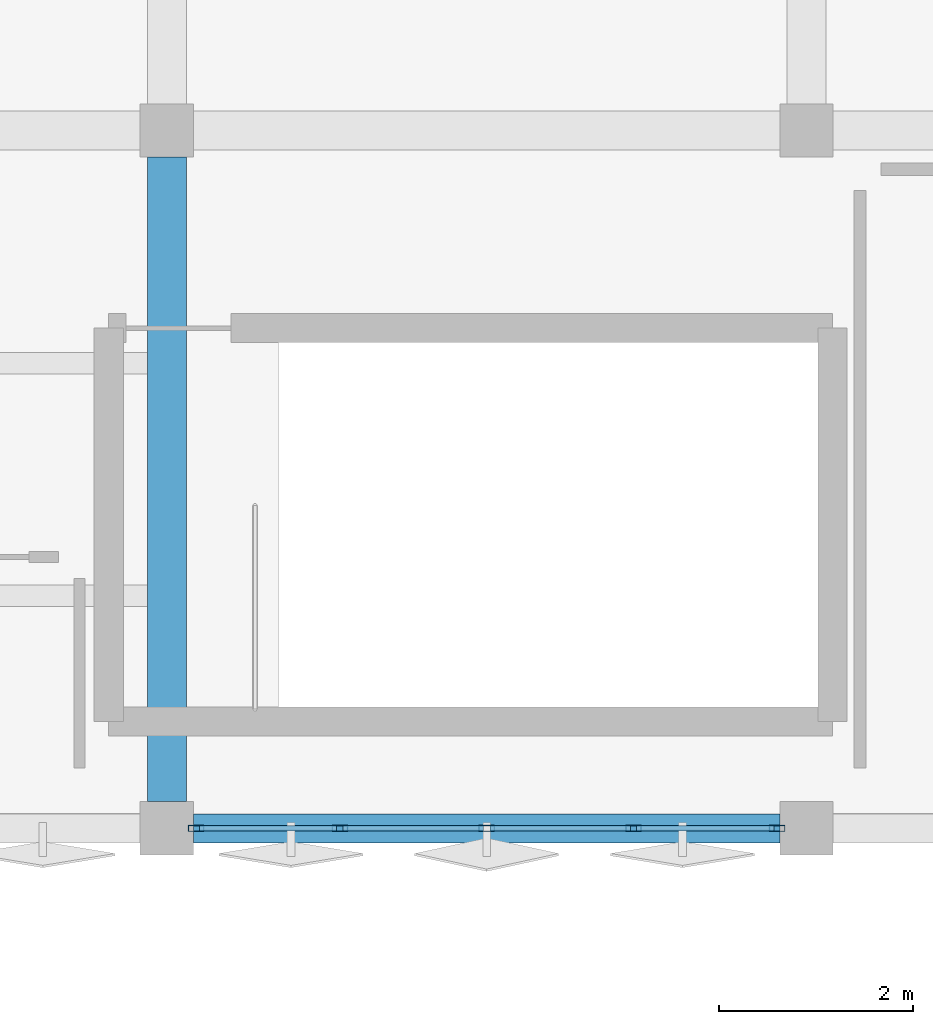
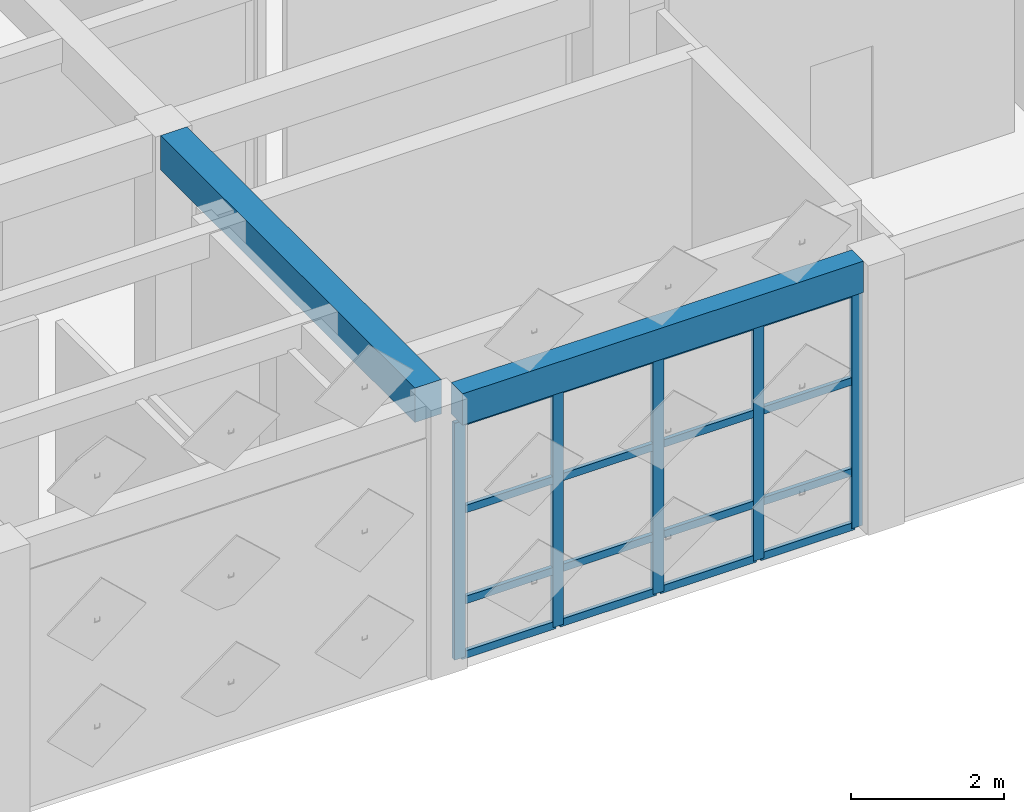
# One storey, part 10 of 29: 21 members, 2 beams, 1 element without a shape of its own.
"""IFC4 building model written with IfcOpenShell, lengths in metres."""

from ifc_helpers import new_model, si_unit, direction, frame, origin, origin_2d, place, context, subcontext, project, spatial, rectangle, hollow_rectangle, extrude, material, layer, layer_set, material_profile, profile_set, type_object, element, aggregate, save


model = new_model("IFC4")

# Units and contexts
model_context = context("Model", 3, precision=1e-05, world=origin(), true_north=direction((0.0, 1.0)))
body_context = subcontext(model_context, "Body", "Model", "MODEL_VIEW")
ifc_project = project(units=[si_unit("LENGTHUNIT", "METRE"), si_unit("AREAUNIT", "SQUARE_METRE"), si_unit("VOLUMEUNIT", "CUBIC_METRE"), si_unit("PLANEANGLEUNIT", "RADIAN"), si_unit("MASSUNIT", "GRAM", prefix="KILO")], contexts=[model_context])

# Site, building, storey
site_placement = place(None, origin())
site = spatial("IfcSite", under=ifc_project, at=site_placement, CompositionType="ELEMENT")
building_placement = place(site_placement, origin())
building = spatial("IfcBuilding", under=site, at=building_placement, Name="Kharisveld Research Institute", CompositionType="ELEMENT")
storey_placement = place(building_placement, frame((0.0, 0.0, 32.10009765625)))
storey = spatial("IfcBuildingStorey", under=building, at=storey_placement, Name="L07", CompositionType="ELEMENT", Elevation=32.10009765625)

# Beam
ifc_material_1 = material(Name="Concrete C40/50", Category="concrete")
ifc_material_profile_1 = material_profile(ifc_material_1, rectangle(XDim=0.39990234375, YDim=0.550048828125, at=origin_2d()))
ifc_profile_set_1 = profile_set([ifc_material_profile_1], Name="Concrete C40/50")
beam_type_1 = type_object("IfcBeamType", Name="BM_RC_400x550", PredefinedType="BEAM", material=ifc_profile_set_1)
beam_1_placement = place(storey_placement, frame((147.60009765625, 39.47509765625, 4.02978515625), z_axis=(0.0, 1.0, 0.0), x_axis=(-1.0, 0.0, 0.0)))
element("IfcBeam", 1, at=beam_1_placement, inside=storey, type_object=beam_type_1, Name="BM:V2:L07:V5_0", PredefinedType="BEAM", context=body_context, shape_type="SweptSolid", body=[
    extrude(rectangle(XDim=0.39990234375, YDim=0.550048828125, at=origin_2d()), origin(), (0.0, 0.0, 1.0), 6.64990234375),
])

# Curtain wall, members
ifc_material_2 = material(Name="Thermally Broken Aluminium Curtain Wall", Category="aluminium")
ifc_layer = layer(ifc_material_2, 0.159912109375)
ifc_layer_set = layer_set([ifc_layer], Name="CW_SYS_04")
curtain_wall_type = type_object("IfcCurtainWallType", Name="CW_SYS_04", PredefinedType="NOTDEFINED", material=ifc_layer_set)
curtain_wall_placement = place(storey_placement, origin())
curtain_wall = element("IfcCurtainWall", 2, at=curtain_wall_placement, inside=storey, type_object=curtain_wall_type, Name="CW:V2:L07:S6", PredefinedType="NOTDEFINED")
ifc_material_3 = material(Name="Anodised Aluminium AW-6063-T6", Category="aluminium")
ifc_material_profile_2 = material_profile(ifc_material_3, hollow_rectangle(XDim=0.06494140625, YDim=0.159912109375, WallThickness=0.00390625, at=origin_2d()))
ifc_profile_set_2 = profile_set([ifc_material_profile_2], Name="Anodised Aluminium AW-6063-T6")
member_type_1 = type_object("IfcMemberType", Name="CW_MUL_160", PredefinedType="MULLION", material=ifc_profile_set_2)
member_1_placement = place(storey_placement, frame((153.8974609375, 39.199951171875, 0.0), z_axis=(0.0, 0.0, 1.0), x_axis=(0.0, -1.0, 0.0)))
member_1 = element("IfcMember", 3, at=member_1_placement, type_object=member_type_1, Name="CW-04 mullion 1", PredefinedType="MULLION", context=body_context, shape_type="SweptSolid", body=[
    extrude(hollow_rectangle(XDim=0.06494140625, YDim=0.159912109375, WallThickness=0.00390625, at=origin_2d()), origin(), (0.0, 0.0, 1.0), 3.77978515625),
])
member_2_placement = place(storey_placement, frame((152.4150390625, 39.199951171875, 0.0), z_axis=(0.0, 0.0, 1.0), x_axis=(0.0, -1.0, 0.0)))
member_2 = element("IfcMember", 4, at=member_2_placement, type_object=member_type_1, Name="CW-04 mullion 2", PredefinedType="MULLION", context=body_context, shape_type="SweptSolid", body=[
    extrude(hollow_rectangle(XDim=0.06494140625, YDim=0.159912109375, WallThickness=0.00390625, at=origin_2d()), origin(), (0.0, 0.0, 1.0), 3.77978515625),
])
member_3_placement = place(storey_placement, frame((150.89990234375, 39.199951171875, 0.0), z_axis=(0.0, 0.0, 1.0), x_axis=(0.0, -1.0, 0.0)))
member_3 = element("IfcMember", 5, at=member_3_placement, type_object=member_type_1, Name="CW-04 mullion 3", PredefinedType="MULLION", context=body_context, shape_type="SweptSolid", body=[
    extrude(hollow_rectangle(XDim=0.06494140625, YDim=0.159912109375, WallThickness=0.00390625, at=origin_2d()), origin(), (0.0, 0.0, 1.0), 3.77978515625),
])
member_4_placement = place(storey_placement, frame((149.385009765625, 39.199951171875, 0.0), z_axis=(0.0, 0.0, 1.0), x_axis=(0.0, -1.0, 0.0)))
member_4 = element("IfcMember", 6, at=member_4_placement, type_object=member_type_1, Name="CW-04 mullion 4", PredefinedType="MULLION", context=body_context, shape_type="SweptSolid", body=[
    extrude(hollow_rectangle(XDim=0.06494140625, YDim=0.159912109375, WallThickness=0.00390625, at=origin_2d()), origin(), (0.0, 0.0, 1.0), 3.77978515625),
])
member_5_placement = place(storey_placement, frame((147.902587890625, 39.199951171875, 0.0), z_axis=(0.0, 0.0, 1.0), x_axis=(0.0, -1.0, 0.0)))
member_5 = element("IfcMember", 7, at=member_5_placement, type_object=member_type_1, Name="CW-04 mullion 5", PredefinedType="MULLION", context=body_context, shape_type="SweptSolid", body=[
    extrude(hollow_rectangle(XDim=0.06494140625, YDim=0.159912109375, WallThickness=0.00390625, at=origin_2d()), origin(), (0.0, 0.0, 1.0), 3.77978515625),
])
ifc_material_4 = material(Name="Anodised Aluminium AW-6063-T6", Category="aluminium")
ifc_material_profile_3 = material_profile(ifc_material_4, hollow_rectangle(XDim=0.06005859375, YDim=0.1201171875, WallThickness=0.00390625, at=origin_2d()))
ifc_profile_set_3 = profile_set([ifc_material_profile_3], Name="Anodised Aluminium AW-6063-T6")
member_type_2 = type_object("IfcMemberType", Name="CW_TRN_120", PredefinedType="USERDEFINED", material=ifc_profile_set_3)
member_6_placement = place(storey_placement, frame((153.864990234375, 39.199951171875, 0.02978515625), z_axis=(-1.0, 0.0, 0.0), x_axis=(0.0, -1.0, 0.0)))
member_6 = element("IfcMember", 8, at=member_6_placement, type_object=member_type_2, Name="CW-04 transom 1.1", ObjectType="TRANSOM", PredefinedType="USERDEFINED", context=body_context, shape_type="SweptSolid", body=[
    extrude(hollow_rectangle(XDim=0.06005859375, YDim=0.1201171875, WallThickness=0.00390625, at=origin_2d()), origin(), (0.0, 0.0, 1.0), 1.41748046875),
])
member_7_placement = place(storey_placement, frame((153.864990234375, 39.199951171875, 0.89990234375), z_axis=(-1.0, 0.0, 0.0), x_axis=(0.0, -1.0, 0.0)))
member_7 = element("IfcMember", 9, at=member_7_placement, type_object=member_type_2, Name="CW-04 transom 1.2", ObjectType="TRANSOM", PredefinedType="USERDEFINED", context=body_context, shape_type="SweptSolid", body=[
    extrude(hollow_rectangle(XDim=0.06005859375, YDim=0.1201171875, WallThickness=0.00390625, at=origin_2d()), origin(), (0.0, 0.0, 1.0), 1.41748046875),
])
member_8_placement = place(storey_placement, frame((153.864990234375, 39.199951171875, 2.349853515625), z_axis=(-1.0, 0.0, 0.0), x_axis=(0.0, -1.0, 0.0)))
member_8 = element("IfcMember", 10, at=member_8_placement, type_object=member_type_2, Name="CW-04 transom 1.3", ObjectType="TRANSOM", PredefinedType="USERDEFINED", context=body_context, shape_type="SweptSolid", body=[
    extrude(hollow_rectangle(XDim=0.06005859375, YDim=0.1201171875, WallThickness=0.00390625, at=origin_2d()), origin(), (0.0, 0.0, 1.0), 1.41748046875),
])
member_9_placement = place(storey_placement, frame((153.864990234375, 39.199951171875, 3.75), z_axis=(-1.0, 0.0, 0.0), x_axis=(0.0, -1.0, 0.0)))
member_9 = element("IfcMember", 11, at=member_9_placement, type_object=member_type_2, Name="CW-04 transom 1.4", ObjectType="TRANSOM", PredefinedType="USERDEFINED", context=body_context, shape_type="SweptSolid", body=[
    extrude(hollow_rectangle(XDim=0.06005859375, YDim=0.1201171875, WallThickness=0.00390625, at=origin_2d()), origin(), (0.0, 0.0, 1.0), 1.41748046875),
])
member_10_placement = place(storey_placement, frame((152.382568359375, 39.199951171875, 0.02978515625), z_axis=(-1.0, 0.0, 0.0), x_axis=(0.0, -1.0, 0.0)))
member_10 = element("IfcMember", 12, at=member_10_placement, type_object=member_type_2, Name="CW-04 transom 2.1", ObjectType="TRANSOM", PredefinedType="USERDEFINED", context=body_context, shape_type="SweptSolid", body=[
    extrude(hollow_rectangle(XDim=0.06005859375, YDim=0.1201171875, WallThickness=0.00390625, at=origin_2d()), origin(), (0.0, 0.0, 1.0), 1.449951171875),
])
member_11_placement = place(storey_placement, frame((152.382568359375, 39.199951171875, 0.89990234375), z_axis=(-1.0, 0.0, 0.0), x_axis=(0.0, -1.0, 0.0)))
member_11 = element("IfcMember", 13, at=member_11_placement, type_object=member_type_2, Name="CW-04 transom 2.2", ObjectType="TRANSOM", PredefinedType="USERDEFINED", context=body_context, shape_type="SweptSolid", body=[
    extrude(hollow_rectangle(XDim=0.06005859375, YDim=0.1201171875, WallThickness=0.00390625, at=origin_2d()), origin(), (0.0, 0.0, 1.0), 1.449951171875),
])
member_12_placement = place(storey_placement, frame((152.382568359375, 39.199951171875, 2.349853515625), z_axis=(-1.0, 0.0, 0.0), x_axis=(0.0, -1.0, 0.0)))
member_12 = element("IfcMember", 14, at=member_12_placement, type_object=member_type_2, Name="CW-04 transom 2.3", ObjectType="TRANSOM", PredefinedType="USERDEFINED", context=body_context, shape_type="SweptSolid", body=[
    extrude(hollow_rectangle(XDim=0.06005859375, YDim=0.1201171875, WallThickness=0.00390625, at=origin_2d()), origin(), (0.0, 0.0, 1.0), 1.449951171875),
])
member_13_placement = place(storey_placement, frame((152.382568359375, 39.199951171875, 3.75), z_axis=(-1.0, 0.0, 0.0), x_axis=(0.0, -1.0, 0.0)))
member_13 = element("IfcMember", 15, at=member_13_placement, type_object=member_type_2, Name="CW-04 transom 2.4", ObjectType="TRANSOM", PredefinedType="USERDEFINED", context=body_context, shape_type="SweptSolid", body=[
    extrude(hollow_rectangle(XDim=0.06005859375, YDim=0.1201171875, WallThickness=0.00390625, at=origin_2d()), origin(), (0.0, 0.0, 1.0), 1.449951171875),
])
member_14_placement = place(storey_placement, frame((150.867431640625, 39.199951171875, 0.02978515625), z_axis=(-1.0, 0.0, 0.0), x_axis=(0.0, -1.0, 0.0)))
member_14 = element("IfcMember", 16, at=member_14_placement, type_object=member_type_2, Name="CW-04 transom 3.1", ObjectType="TRANSOM", PredefinedType="USERDEFINED", context=body_context, shape_type="SweptSolid", body=[
    extrude(hollow_rectangle(XDim=0.06005859375, YDim=0.1201171875, WallThickness=0.00390625, at=origin_2d()), origin(), (0.0, 0.0, 1.0), 1.449951171875),
])
member_15_placement = place(storey_placement, frame((150.867431640625, 39.199951171875, 0.89990234375), z_axis=(-1.0, 0.0, 0.0), x_axis=(0.0, -1.0, 0.0)))
member_15 = element("IfcMember", 17, at=member_15_placement, type_object=member_type_2, Name="CW-04 transom 3.2", ObjectType="TRANSOM", PredefinedType="USERDEFINED", context=body_context, shape_type="SweptSolid", body=[
    extrude(hollow_rectangle(XDim=0.06005859375, YDim=0.1201171875, WallThickness=0.00390625, at=origin_2d()), origin(), (0.0, 0.0, 1.0), 1.449951171875),
])
member_16_placement = place(storey_placement, frame((150.867431640625, 39.199951171875, 2.349853515625), z_axis=(-1.0, 0.0, 0.0), x_axis=(0.0, -1.0, 0.0)))
member_16 = element("IfcMember", 18, at=member_16_placement, type_object=member_type_2, Name="CW-04 transom 3.3", ObjectType="TRANSOM", PredefinedType="USERDEFINED", context=body_context, shape_type="SweptSolid", body=[
    extrude(hollow_rectangle(XDim=0.06005859375, YDim=0.1201171875, WallThickness=0.00390625, at=origin_2d()), origin(), (0.0, 0.0, 1.0), 1.449951171875),
])
member_17_placement = place(storey_placement, frame((150.867431640625, 39.199951171875, 3.75), z_axis=(-1.0, 0.0, 0.0), x_axis=(0.0, -1.0, 0.0)))
member_17 = element("IfcMember", 19, at=member_17_placement, type_object=member_type_2, Name="CW-04 transom 3.4", ObjectType="TRANSOM", PredefinedType="USERDEFINED", context=body_context, shape_type="SweptSolid", body=[
    extrude(hollow_rectangle(XDim=0.06005859375, YDim=0.1201171875, WallThickness=0.00390625, at=origin_2d()), origin(), (0.0, 0.0, 1.0), 1.449951171875),
])
member_18_placement = place(storey_placement, frame((149.3525390625, 39.199951171875, 0.02978515625), z_axis=(-1.0, 0.0, 0.0), x_axis=(0.0, -1.0, 0.0)))
member_18 = element("IfcMember", 20, at=member_18_placement, type_object=member_type_2, Name="CW-04 transom 4.1", ObjectType="TRANSOM", PredefinedType="USERDEFINED", context=body_context, shape_type="SweptSolid", body=[
    extrude(hollow_rectangle(XDim=0.06005859375, YDim=0.1201171875, WallThickness=0.00390625, at=origin_2d()), origin(), (0.0, 0.0, 1.0), 1.41748046875),
])
member_19_placement = place(storey_placement, frame((149.3525390625, 39.199951171875, 0.89990234375), z_axis=(-1.0, 0.0, 0.0), x_axis=(0.0, -1.0, 0.0)))
member_19 = element("IfcMember", 21, at=member_19_placement, type_object=member_type_2, Name="CW-04 transom 4.2", ObjectType="TRANSOM", PredefinedType="USERDEFINED", context=body_context, shape_type="SweptSolid", body=[
    extrude(hollow_rectangle(XDim=0.06005859375, YDim=0.1201171875, WallThickness=0.00390625, at=origin_2d()), origin(), (0.0, 0.0, 1.0), 1.41748046875),
])
member_20_placement = place(storey_placement, frame((149.3525390625, 39.199951171875, 2.349853515625), z_axis=(-1.0, 0.0, 0.0), x_axis=(0.0, -1.0, 0.0)))
member_20 = element("IfcMember", 22, at=member_20_placement, type_object=member_type_2, Name="CW-04 transom 4.3", ObjectType="TRANSOM", PredefinedType="USERDEFINED", context=body_context, shape_type="SweptSolid", body=[
    extrude(hollow_rectangle(XDim=0.06005859375, YDim=0.1201171875, WallThickness=0.00390625, at=origin_2d()), origin(), (0.0, 0.0, 1.0), 1.41748046875),
])
member_21_placement = place(storey_placement, frame((149.3525390625, 39.199951171875, 3.75), z_axis=(-1.0, 0.0, 0.0), x_axis=(0.0, -1.0, 0.0)))
member_21 = element("IfcMember", 23, at=member_21_placement, type_object=member_type_2, Name="CW-04 transom 4.4", ObjectType="TRANSOM", PredefinedType="USERDEFINED", context=body_context, shape_type="SweptSolid", body=[
    extrude(hollow_rectangle(XDim=0.06005859375, YDim=0.1201171875, WallThickness=0.00390625, at=origin_2d()), origin(), (0.0, 0.0, 1.0), 1.41748046875),
])
aggregate(curtain_wall, [member_1, member_2, member_3, member_4, member_5, member_6, member_7, member_8, member_9, member_10, member_11, member_12, member_13, member_14, member_15, member_16, member_17, member_18, member_19, member_20, member_21])

# Beam
ifc_material_5 = material(Name="Concrete C40/50", Category="concrete")
ifc_material_profile_4 = material_profile(ifc_material_5, rectangle(XDim=0.300048828125, YDim=0.5, at=origin_2d()))
ifc_profile_set_4 = profile_set([ifc_material_profile_4], Name="Concrete C40/50")
beam_type_2 = type_object("IfcBeamType", Name="SP_RC_300x500", PredefinedType="SPANDREL", material=ifc_profile_set_4)
beam_2_placement = place(storey_placement, frame((147.875, 39.199951171875, 4.054931640625), z_axis=(1.0, 0.0, 0.0), x_axis=(0.0, 1.0, 0.0)))
element("IfcBeam", 24, at=beam_2_placement, inside=storey, type_object=beam_type_2, Name="BM:V2:L07:U5_0", PredefinedType="SPANDREL", context=body_context, shape_type="SweptSolid", body=[
    extrude(rectangle(XDim=0.300048828125, YDim=0.5, at=origin_2d()), origin(), (0.0, 0.0, 1.0), 6.050048828125),
])

save(model, "model.ifc")
